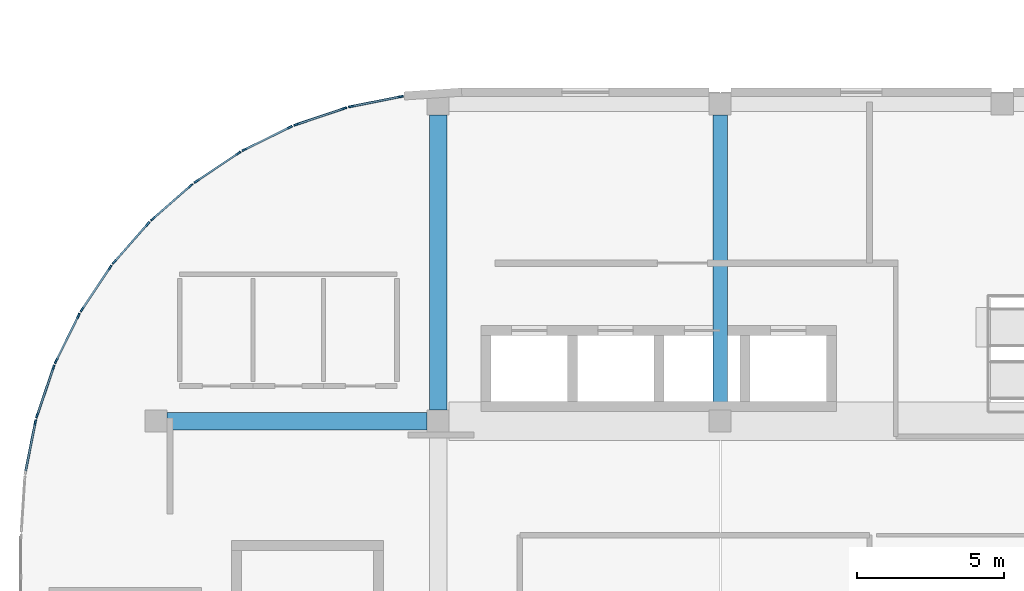
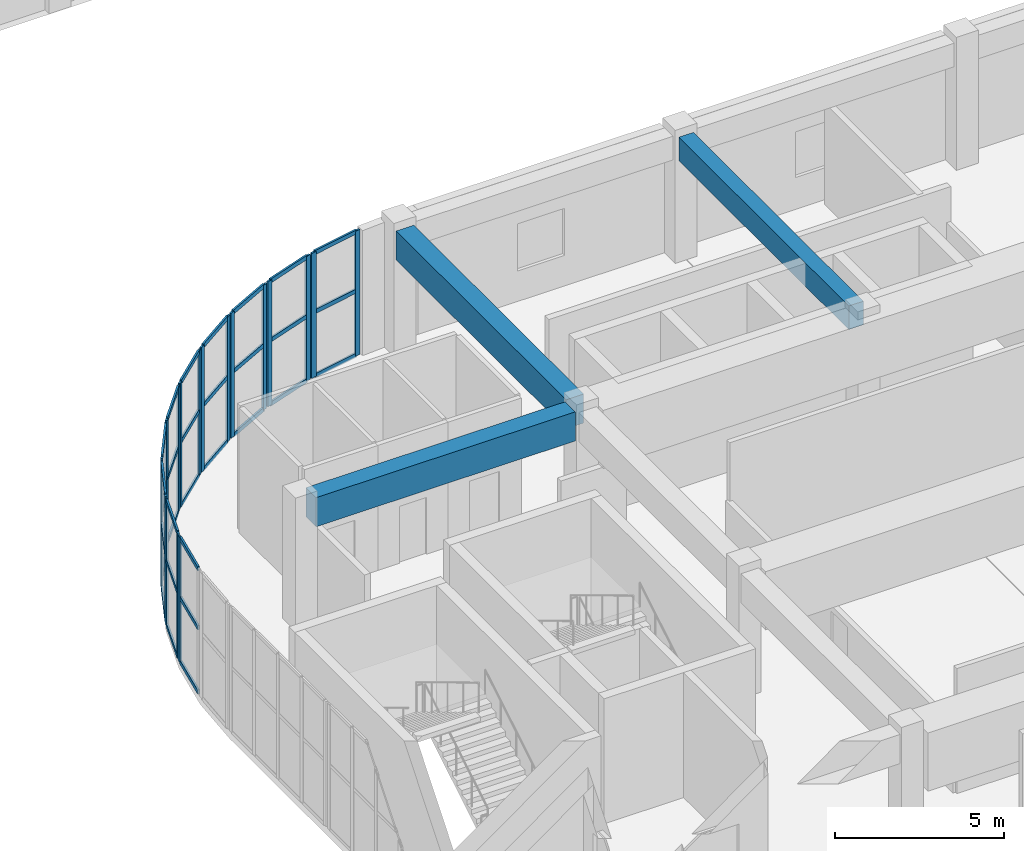
# One storey, part 10 of 28: 49 members, 3 beams, 10 elements without a shape of their own.
"""IFC4 building model written with IfcOpenShell, lengths in metres."""

from ifc_helpers import new_model, si_unit, direction, frame, origin, origin_2d, place, context, subcontext, project, spatial, rectangle, extrude, material, layer, layer_set, material_profile, profile_set, type_object, element, aggregate, save


model = new_model("IFC4")

# Units and contexts
model_context = context("Model", 3, precision=1e-05, world=origin(), true_north=direction((0.0, 1.0)))
body_context = subcontext(model_context, "Body", "Model", "MODEL_VIEW")
ifc_project = project(units=[si_unit("LENGTHUNIT", "METRE"), si_unit("AREAUNIT", "SQUARE_METRE"), si_unit("VOLUMEUNIT", "CUBIC_METRE"), si_unit("PLANEANGLEUNIT", "RADIAN"), si_unit("MASSUNIT", "GRAM", prefix="KILO")], contexts=[model_context])

# Site, building, storey
site_placement = place(None, origin())
site = spatial("IfcSite", under=ifc_project, at=site_placement, CompositionType="ELEMENT")
building_placement = place(site_placement, origin())
building = spatial("IfcBuilding", under=site, at=building_placement, Name="Cendralis Terraced Arcade", CompositionType="ELEMENT")
storey_placement = place(building_placement, frame((0.0, 0.0, 24.60009765625)))
storey = spatial("IfcBuildingStorey", under=building, at=storey_placement, Name="L05", CompositionType="ELEMENT", Elevation=24.60009765625)

# Beams
ifc_material_1 = material(Name="Concrete f'c 35 MPa", Category="concrete")
ifc_material_profile_1 = material_profile(ifc_material_1, rectangle(XDim=0.5, YDim=0.85009765625, at=origin_2d()), Name="RC-BM-500x850", Category="LoadBearing")
ifc_profile_set_1 = profile_set([ifc_material_profile_1], Name="Concrete f'c 35 MPa")
beam_type_1 = type_object("IfcBeamType", Name="BM-500x850", PredefinedType="JOIST", material=ifc_profile_set_1)
beam_1_placement = place(storey_placement, frame((28.800048828125, 38.77490234375, 4.08984375), z_axis=(0.0, 1.0, 0.0), x_axis=(-1.0, 0.0, 0.0)))
element("IfcBeam", 1, at=beam_1_placement, inside=storey, type_object=beam_type_1, Name="Terrace Support Girder TER-L06-V1-7", PredefinedType="JOIST", context=body_context, shape_type="SweptSolid", body=[
    extrude(rectangle(XDim=0.5, YDim=0.85009765625, at=origin_2d()), origin(), (0.0, 0.0, 1.0), 10.050048828125),
])
ifc_material_profile_2 = material_profile(ifc_material_1, rectangle(XDim=0.60009765625, YDim=1.050048828125, at=origin_2d()), Name="RC-BM-600x1050", Category="LoadBearing")
ifc_profile_set_2 = profile_set([ifc_material_profile_2], Name="Concrete f'c 35 MPa")
beam_type_2 = type_object("IfcBeamType", Name="BM-600x1050", PredefinedType="JOIST", material=ifc_profile_set_2)
beam_2_placement = place(storey_placement, frame((9.97509765625, 38.39990234375, 3.98486328125), z_axis=(1.0, 0.0, 0.0), x_axis=(0.0, 1.0, 0.0)))
element("IfcBeam", 2, at=beam_2_placement, inside=storey, type_object=beam_type_2, Name="Reinforced Concrete Frame Beam BM-X-L06-E-2_3", PredefinedType="JOIST", context=body_context, shape_type="SweptSolid", body=[
    extrude(rectangle(XDim=0.60009765625, YDim=1.050048828125, at=origin_2d()), origin(), (0.0, 0.0, 1.0), 8.849853515625),
])
beam_3_placement = place(storey_placement, frame((19.199951171875, 38.77490234375, 3.98486328125), z_axis=(0.0, 1.0, 0.0), x_axis=(-1.0, 0.0, 0.0)))
element("IfcBeam", 3, at=beam_3_placement, inside=storey, type_object=beam_type_2, Name="Reinforced Concrete Frame Beam BM-Y-L06-3-E_F", PredefinedType="JOIST", context=body_context, shape_type="SweptSolid", body=[
    extrude(rectangle(XDim=0.60009765625, YDim=1.050048828125, at=origin_2d()), origin(), (0.0, 0.0, 1.0), 10.050048828125),
])

# Curtain wall, member
ifc_material_2 = material(Name="Anodised aluminium EN AW-6063 T6", Category="aluminium")
ifc_layer = layer(ifc_material_2, 0.179931640625, Name="CW-UNIT-A")
ifc_layer_set = layer_set([ifc_layer], Name="Anodised aluminium EN AW-6063 T6")
curtain_wall_type = type_object("IfcCurtainWallType", Name="CW-UNIT-A", PredefinedType="USERDEFINED", material=ifc_layer_set)
curtain_wall_1_placement = place(storey_placement, origin())
curtain_wall_1 = element("IfcCurtainWall", 4, at=curtain_wall_1_placement, inside=storey, type_object=curtain_wall_type, Name="Exterior Unitised Facade CW-L05-0380", ObjectType="UNITISED FACADE", PredefinedType="USERDEFINED")
ifc_material_profile_3 = material_profile(ifc_material_2, rectangle(XDim=0.06494140625, YDim=0.179931640625, at=origin_2d()), Name="ALU-MUL-65x180")
ifc_profile_set_3 = profile_set([ifc_material_profile_3], Name="Anodised aluminium EN AW-6063 T6")
member_type_1 = type_object("IfcMemberType", Name="CW-UNIT-A-MUL", PredefinedType="MULLION", material=ifc_profile_set_3)
member_1_placement = place(storey_placement, frame((5.487060546875, 38.362060546875, 0.0), z_axis=(0.0, 0.0, 1.0), x_axis=(-0.980791618721, 0.195058454434, 0.0)))
member_1 = element("IfcMember", 5, at=member_1_placement, type_object=member_type_1, Name="CW-U1 mullion 2", PredefinedType="MULLION", context=body_context, shape_type="SweptSolid", body=[
    extrude(rectangle(XDim=0.06494140625, YDim=0.179931640625, at=origin_2d()), origin(), (0.0, 0.0, 1.0), 4.510009765625),
])

# Curtain wall, members
curtain_wall_2_placement = place(storey_placement, origin())
curtain_wall_2 = element("IfcCurtainWall", 6, at=curtain_wall_2_placement, inside=storey, type_object=curtain_wall_type, Name="Exterior Unitised Facade CW-L05-0381", ObjectType="UNITISED FACADE", PredefinedType="USERDEFINED")
member_2_placement = place(storey_placement, frame((5.550537109375, 38.598388671875, 0.0), z_axis=(0.0, 0.0, 1.0), x_axis=(-0.946923811316, 0.321458077458, 0.0)))
member_2 = element("IfcMember", 7, at=member_2_placement, type_object=member_type_1, Name="CW-U1 mullion 1", PredefinedType="MULLION", context=body_context, shape_type="SweptSolid", body=[
    extrude(rectangle(XDim=0.06494140625, YDim=0.179931640625, at=origin_2d()), origin(), (0.0, 0.0, 1.0), 4.510009765625),
])
member_3_placement = place(storey_placement, frame((6.1025390625, 40.224365234375, 0.0), z_axis=(0.0, 0.0, 1.0), x_axis=(-0.946923811316, 0.321458077458, 0.0)))
member_3 = element("IfcMember", 8, at=member_3_placement, type_object=member_type_1, Name="CW-U1 mullion 2", PredefinedType="MULLION", context=body_context, shape_type="SweptSolid", body=[
    extrude(rectangle(XDim=0.06494140625, YDim=0.179931640625, at=origin_2d()), origin(), (0.0, 0.0, 1.0), 4.510009765625),
])

curtain_wall_3_placement = place(storey_placement, origin())
curtain_wall_3 = element("IfcCurtainWall", 9, at=curtain_wall_3_placement, inside=storey, type_object=curtain_wall_type, Name="Exterior Unitised Facade CW-L05-0382", ObjectType="UNITISED FACADE", PredefinedType="USERDEFINED")
member_4_placement = place(storey_placement, frame((6.196044921875, 40.4501953125, 0.0), z_axis=(0.0, 0.0, 1.0), x_axis=(-0.896871480419, 0.442291247495, 0.0)))
member_4 = element("IfcMember", 10, at=member_4_placement, type_object=member_type_1, Name="CW-U1 mullion 1", PredefinedType="MULLION", context=body_context, shape_type="SweptSolid", body=[
    extrude(rectangle(XDim=0.06494140625, YDim=0.179931640625, at=origin_2d()), origin(), (0.0, 0.0, 1.0), 4.510009765625),
])
member_5_placement = place(storey_placement, frame((6.955322265625, 41.990234375, 0.0), z_axis=(0.0, 0.0, 1.0), x_axis=(-0.896871480419, 0.442291247495, 0.0)))
member_5 = element("IfcMember", 11, at=member_5_placement, type_object=member_type_1, Name="CW-U1 mullion 2", PredefinedType="MULLION", context=body_context, shape_type="SweptSolid", body=[
    extrude(rectangle(XDim=0.06494140625, YDim=0.179931640625, at=origin_2d()), origin(), (0.0, 0.0, 1.0), 4.510009765625),
])

curtain_wall_4_placement = place(storey_placement, origin())
curtain_wall_4 = element("IfcCurtainWall", 12, at=curtain_wall_4_placement, inside=storey, type_object=curtain_wall_type, Name="Exterior Unitised Facade CW-L05-0383", ObjectType="UNITISED FACADE", PredefinedType="USERDEFINED")
member_6_placement = place(storey_placement, frame((7.07763671875, 42.201904296875, 0.0), z_axis=(0.0, 0.0, 1.0), x_axis=(-0.831471454125, 0.555567476528, 0.0)))
member_6 = element("IfcMember", 13, at=member_6_placement, type_object=member_type_1, Name="CW-U1 mullion 1", PredefinedType="MULLION", context=body_context, shape_type="SweptSolid", body=[
    extrude(rectangle(XDim=0.06494140625, YDim=0.179931640625, at=origin_2d()), origin(), (0.0, 0.0, 1.0), 4.510009765625),
])
member_7_placement = place(storey_placement, frame((8.03173828125, 43.629638671875, 0.0), z_axis=(0.0, 0.0, 1.0), x_axis=(-0.831471454125, 0.555567476528, 0.0)))
member_7 = element("IfcMember", 14, at=member_7_placement, type_object=member_type_1, Name="CW-U1 mullion 2", PredefinedType="MULLION", context=body_context, shape_type="SweptSolid", body=[
    extrude(rectangle(XDim=0.06494140625, YDim=0.179931640625, at=origin_2d()), origin(), (0.0, 0.0, 1.0), 4.510009765625),
])

curtain_wall_5_placement = place(storey_placement, origin())
curtain_wall_5 = element("IfcCurtainWall", 15, at=curtain_wall_5_placement, inside=storey, type_object=curtain_wall_type, Name="Exterior Unitised Facade CW-L05-0384", ObjectType="UNITISED FACADE", PredefinedType="USERDEFINED")
member_8_placement = place(storey_placement, frame((8.180419921875, 43.823486328125, 0.0), z_axis=(0.0, 0.0, 1.0), x_axis=(-0.751804497477, 0.659386076266, 0.0)))
member_8 = element("IfcMember", 16, at=member_8_placement, type_object=member_type_1, Name="CW-U1 mullion 1", PredefinedType="MULLION", context=body_context, shape_type="SweptSolid", body=[
    extrude(rectangle(XDim=0.06494140625, YDim=0.179931640625, at=origin_2d()), origin(), (0.0, 0.0, 1.0), 4.510009765625),
])
member_9_placement = place(storey_placement, frame((9.312744140625, 45.114501953125, 0.0), z_axis=(0.0, 0.0, 1.0), x_axis=(-0.751804497477, 0.659386076266, 0.0)))
member_9 = element("IfcMember", 17, at=member_9_placement, type_object=member_type_1, Name="CW-U1 mullion 2", PredefinedType="MULLION", context=body_context, shape_type="SweptSolid", body=[
    extrude(rectangle(XDim=0.06494140625, YDim=0.179931640625, at=origin_2d()), origin(), (0.0, 0.0, 1.0), 4.510009765625),
])

curtain_wall_6_placement = place(storey_placement, origin())
curtain_wall_6 = element("IfcCurtainWall", 18, at=curtain_wall_6_placement, inside=storey, type_object=curtain_wall_type, Name="Exterior Unitised Facade CW-L05-0385", ObjectType="UNITISED FACADE", PredefinedType="USERDEFINED")
member_10_placement = place(storey_placement, frame((9.485595703125, 45.287353515625, 0.0), z_axis=(0.0, 0.0, 1.0), x_axis=(-0.659386076266, 0.751804497477, 0.0)))
member_10 = element("IfcMember", 19, at=member_10_placement, type_object=member_type_1, Name="CW-U1 mullion 1", PredefinedType="MULLION", context=body_context, shape_type="SweptSolid", body=[
    extrude(rectangle(XDim=0.06494140625, YDim=0.179931640625, at=origin_2d()), origin(), (0.0, 0.0, 1.0), 4.510009765625),
])
member_11_placement = place(storey_placement, frame((10.7763671875, 46.419677734375, 0.0), z_axis=(0.0, 0.0, 1.0), x_axis=(-0.659386076266, 0.751804497477, 0.0)))
member_11 = element("IfcMember", 20, at=member_11_placement, type_object=member_type_1, Name="CW-U1 mullion 2", PredefinedType="MULLION", context=body_context, shape_type="SweptSolid", body=[
    extrude(rectangle(XDim=0.06494140625, YDim=0.179931640625, at=origin_2d()), origin(), (0.0, 0.0, 1.0), 4.510009765625),
])

curtain_wall_7_placement = place(storey_placement, origin())
curtain_wall_7 = element("IfcCurtainWall", 21, at=curtain_wall_7_placement, inside=storey, type_object=curtain_wall_type, Name="Exterior Unitised Facade CW-L05-0386", ObjectType="UNITISED FACADE", PredefinedType="USERDEFINED")
member_12_placement = place(storey_placement, frame((10.970458984375, 46.568359375, 0.0), z_axis=(0.0, 0.0, 1.0), x_axis=(-0.555567476528, 0.831471454125, 0.0)))
member_12 = element("IfcMember", 22, at=member_12_placement, type_object=member_type_1, Name="CW-U1 mullion 1", PredefinedType="MULLION", context=body_context, shape_type="SweptSolid", body=[
    extrude(rectangle(XDim=0.06494140625, YDim=0.179931640625, at=origin_2d()), origin(), (0.0, 0.0, 1.0), 4.510009765625),
])
member_13_placement = place(storey_placement, frame((12.398193359375, 47.5224609375, 0.0), z_axis=(0.0, 0.0, 1.0), x_axis=(-0.555567476528, 0.831471454125, 0.0)))
member_13 = element("IfcMember", 23, at=member_13_placement, type_object=member_type_1, Name="CW-U1 mullion 2", PredefinedType="MULLION", context=body_context, shape_type="SweptSolid", body=[
    extrude(rectangle(XDim=0.06494140625, YDim=0.179931640625, at=origin_2d()), origin(), (0.0, 0.0, 1.0), 4.510009765625),
])

curtain_wall_8_placement = place(storey_placement, origin())
curtain_wall_8 = element("IfcCurtainWall", 24, at=curtain_wall_8_placement, inside=storey, type_object=curtain_wall_type, Name="Exterior Unitised Facade CW-L05-0387", ObjectType="UNITISED FACADE", PredefinedType="USERDEFINED")
member_14_placement = place(storey_placement, frame((12.60986328125, 47.64453125, 0.0), z_axis=(0.0, 0.0, 1.0), x_axis=(-0.442291247495, 0.896871480419, 0.0)))
member_14 = element("IfcMember", 25, at=member_14_placement, type_object=member_type_1, Name="CW-U1 mullion 1", PredefinedType="MULLION", context=body_context, shape_type="SweptSolid", body=[
    extrude(rectangle(XDim=0.06494140625, YDim=0.179931640625, at=origin_2d()), origin(), (0.0, 0.0, 1.0), 4.510009765625),
])
member_15_placement = place(storey_placement, frame((14.14990234375, 48.404052734375, 0.0), z_axis=(0.0, 0.0, 1.0), x_axis=(-0.442291247495, 0.896871480419, 0.0)))
member_15 = element("IfcMember", 26, at=member_15_placement, type_object=member_type_1, Name="CW-U1 mullion 2", PredefinedType="MULLION", context=body_context, shape_type="SweptSolid", body=[
    extrude(rectangle(XDim=0.06494140625, YDim=0.179931640625, at=origin_2d()), origin(), (0.0, 0.0, 1.0), 4.510009765625),
])

curtain_wall_9_placement = place(storey_placement, origin())
curtain_wall_9 = element("IfcCurtainWall", 27, at=curtain_wall_9_placement, inside=storey, type_object=curtain_wall_type, Name="Exterior Unitised Facade CW-L05-0388", ObjectType="UNITISED FACADE", PredefinedType="USERDEFINED")
member_16_placement = place(storey_placement, frame((14.375732421875, 48.49755859375, 0.0), z_axis=(0.0, 0.0, 1.0), x_axis=(-0.321458077458, 0.946923811316, 0.0)))
member_16 = element("IfcMember", 28, at=member_16_placement, type_object=member_type_1, Name="CW-U1 mullion 1", PredefinedType="MULLION", context=body_context, shape_type="SweptSolid", body=[
    extrude(rectangle(XDim=0.06494140625, YDim=0.179931640625, at=origin_2d()), origin(), (0.0, 0.0, 1.0), 4.510009765625),
])
member_17_placement = place(storey_placement, frame((16.001708984375, 49.049560546875, 0.0), z_axis=(0.0, 0.0, 1.0), x_axis=(-0.321458077458, 0.946923811316, 0.0)))
member_17 = element("IfcMember", 29, at=member_17_placement, type_object=member_type_1, Name="CW-U1 mullion 2", PredefinedType="MULLION", context=body_context, shape_type="SweptSolid", body=[
    extrude(rectangle(XDim=0.06494140625, YDim=0.179931640625, at=origin_2d()), origin(), (0.0, 0.0, 1.0), 4.510009765625),
])

curtain_wall_10_placement = place(storey_placement, origin())
curtain_wall_10 = element("IfcCurtainWall", 30, at=curtain_wall_10_placement, inside=storey, type_object=curtain_wall_type, Name="Exterior Unitised Facade CW-L05-0389", ObjectType="UNITISED FACADE", PredefinedType="USERDEFINED")
member_18_placement = place(storey_placement, frame((16.23779296875, 49.11279296875, 0.0), z_axis=(0.0, 0.0, 1.0), x_axis=(-0.195058454434, 0.980791618721, 0.0)))
member_18 = element("IfcMember", 31, at=member_18_placement, type_object=member_type_1, Name="CW-U1 mullion 1", PredefinedType="MULLION", context=body_context, shape_type="SweptSolid", body=[
    extrude(rectangle(XDim=0.06494140625, YDim=0.179931640625, at=origin_2d()), origin(), (0.0, 0.0, 1.0), 4.510009765625),
])
member_19_placement = place(storey_placement, frame((17.921875, 49.44775390625, 0.0), z_axis=(0.0, 0.0, 1.0), x_axis=(-0.195058454434, 0.980791618721, 0.0)))
member_19 = element("IfcMember", 32, at=member_19_placement, type_object=member_type_1, Name="CW-U1 mullion 2", PredefinedType="MULLION", context=body_context, shape_type="SweptSolid", body=[
    extrude(rectangle(XDim=0.06494140625, YDim=0.179931640625, at=origin_2d()), origin(), (0.0, 0.0, 1.0), 4.510009765625),
])

# Member
ifc_material_profile_4 = material_profile(ifc_material_2, rectangle(XDim=0.06494140625, YDim=0.14990234375, at=origin_2d()), Name="ALU-TRN-65x150")
ifc_profile_set_4 = profile_set([ifc_material_profile_4], Name="Anodised aluminium EN AW-6063 T6")
member_type_2 = type_object("IfcMemberType", Name="CW-UNIT-A-TRN", PredefinedType="USERDEFINED", material=ifc_profile_set_4)
member_20_placement = place(storey_placement, frame((5.15869140625, 36.7099609375, 0.032470703125), z_axis=(0.194922378732, 0.980818671452, 0.0), x_axis=(-0.980818671452, 0.194922378732, 0.0)))
member_20 = element("IfcMember", 33, at=member_20_placement, type_object=member_type_2, Name="CW-U1 transom 1.1", ObjectType="TRANSOM", PredefinedType="USERDEFINED", context=body_context, shape_type="SweptSolid", body=[
    extrude(rectangle(XDim=0.06494140625, YDim=0.14990234375, at=origin_2d()), origin(), (0.0, 0.0, 1.0), 1.652099609375),
])

member_21_placement = place(storey_placement, frame((5.15869140625, 36.7099609375, 2.34521484375), z_axis=(0.194922378732, 0.980818671452, 0.0), x_axis=(-0.980818671452, 0.194922378732, 0.0)))
member_21 = element("IfcMember", 34, at=member_21_placement, type_object=member_type_2, Name="CW-U1 transom 1.2", ObjectType="TRANSOM", PredefinedType="USERDEFINED", context=body_context, shape_type="SweptSolid", body=[
    extrude(rectangle(XDim=0.06494140625, YDim=0.14990234375, at=origin_2d()), origin(), (0.0, 0.0, 1.0), 1.652099609375),
])

member_22_placement = place(storey_placement, frame((5.15869140625, 36.7099609375, 4.477294921875), z_axis=(0.194922378732, 0.980818671452, 0.0), x_axis=(-0.980818671452, 0.194922378732, 0.0)))
member_22 = element("IfcMember", 35, at=member_22_placement, type_object=member_type_2, Name="CW-U1 transom 1.3", ObjectType="TRANSOM", PredefinedType="USERDEFINED", context=body_context, shape_type="SweptSolid", body=[
    extrude(rectangle(XDim=0.06494140625, YDim=0.14990234375, at=origin_2d()), origin(), (0.0, 0.0, 1.0), 1.652099609375),
])

aggregate(curtain_wall_1, [member_1, member_20, member_21, member_22])

member_23_placement = place(storey_placement, frame((5.560791015625, 38.629150390625, 0.032470703125), z_axis=(0.321542430228, 0.94689517137, 0.0), x_axis=(-0.94689517137, 0.321542430228, 0.0)))
member_23 = element("IfcMember", 36, at=member_23_placement, type_object=member_type_2, Name="CW-U1 transom 1.1", ObjectType="TRANSOM", PredefinedType="USERDEFINED", context=body_context, shape_type="SweptSolid", body=[
    extrude(rectangle(XDim=0.06494140625, YDim=0.14990234375, at=origin_2d()), origin(), (0.0, 0.0, 1.0), 1.652099609375),
])

member_24_placement = place(storey_placement, frame((5.560791015625, 38.629150390625, 2.34521484375), z_axis=(0.321542430228, 0.94689517137, 0.0), x_axis=(-0.94689517137, 0.321542430228, 0.0)))
member_24 = element("IfcMember", 37, at=member_24_placement, type_object=member_type_2, Name="CW-U1 transom 1.2", ObjectType="TRANSOM", PredefinedType="USERDEFINED", context=body_context, shape_type="SweptSolid", body=[
    extrude(rectangle(XDim=0.06494140625, YDim=0.14990234375, at=origin_2d()), origin(), (0.0, 0.0, 1.0), 1.652099609375),
])

member_25_placement = place(storey_placement, frame((5.560791015625, 38.629150390625, 4.477294921875), z_axis=(0.321542430228, 0.94689517137, 0.0), x_axis=(-0.94689517137, 0.321542430228, 0.0)))
member_25 = element("IfcMember", 38, at=member_25_placement, type_object=member_type_2, Name="CW-U1 transom 1.3", ObjectType="TRANSOM", PredefinedType="USERDEFINED", context=body_context, shape_type="SweptSolid", body=[
    extrude(rectangle(XDim=0.06494140625, YDim=0.14990234375, at=origin_2d()), origin(), (0.0, 0.0, 1.0), 1.652099609375),
])

aggregate(curtain_wall_2, [member_2, member_3, member_23, member_24, member_25])

member_26_placement = place(storey_placement, frame((6.21044921875, 40.479248046875, 0.032470703125), z_axis=(0.442300625853, 0.896866855431, 0.0), x_axis=(-0.896866855431, 0.442300625853, 0.0)))
member_26 = element("IfcMember", 39, at=member_26_placement, type_object=member_type_2, Name="CW-U1 transom 1.1", ObjectType="TRANSOM", PredefinedType="USERDEFINED", context=body_context, shape_type="SweptSolid", body=[
    extrude(rectangle(XDim=0.06494140625, YDim=0.14990234375, at=origin_2d()), origin(), (0.0, 0.0, 1.0), 1.652099609375),
])

member_27_placement = place(storey_placement, frame((6.21044921875, 40.479248046875, 2.34521484375), z_axis=(0.442300625853, 0.896866855431, 0.0), x_axis=(-0.896866855431, 0.442300625853, 0.0)))
member_27 = element("IfcMember", 40, at=member_27_placement, type_object=member_type_2, Name="CW-U1 transom 1.2", ObjectType="TRANSOM", PredefinedType="USERDEFINED", context=body_context, shape_type="SweptSolid", body=[
    extrude(rectangle(XDim=0.06494140625, YDim=0.14990234375, at=origin_2d()), origin(), (0.0, 0.0, 1.0), 1.652099609375),
])

member_28_placement = place(storey_placement, frame((6.21044921875, 40.479248046875, 4.477294921875), z_axis=(0.442300625853, 0.896866855431, 0.0), x_axis=(-0.896866855431, 0.442300625853, 0.0)))
member_28 = element("IfcMember", 41, at=member_28_placement, type_object=member_type_2, Name="CW-U1 transom 1.3", ObjectType="TRANSOM", PredefinedType="USERDEFINED", context=body_context, shape_type="SweptSolid", body=[
    extrude(rectangle(XDim=0.06494140625, YDim=0.14990234375, at=origin_2d()), origin(), (0.0, 0.0, 1.0), 1.652099609375),
])

aggregate(curtain_wall_3, [member_4, member_5, member_26, member_27, member_28])

member_29_placement = place(storey_placement, frame((7.095703125, 42.228759765625, 0.032470703125), z_axis=(0.555586455466, 0.831458772582, 0.0), x_axis=(-0.831458772582, 0.555586455466, 0.0)))
member_29 = element("IfcMember", 42, at=member_29_placement, type_object=member_type_2, Name="CW-U1 transom 1.1", ObjectType="TRANSOM", PredefinedType="USERDEFINED", context=body_context, shape_type="SweptSolid", body=[
    extrude(rectangle(XDim=0.06494140625, YDim=0.14990234375, at=origin_2d()), origin(), (0.0, 0.0, 1.0), 1.65234375),
])

member_30_placement = place(storey_placement, frame((7.095703125, 42.228759765625, 2.34521484375), z_axis=(0.555586455466, 0.831458772582, 0.0), x_axis=(-0.831458772582, 0.555586455466, 0.0)))
member_30 = element("IfcMember", 43, at=member_30_placement, type_object=member_type_2, Name="CW-U1 transom 1.2", ObjectType="TRANSOM", PredefinedType="USERDEFINED", context=body_context, shape_type="SweptSolid", body=[
    extrude(rectangle(XDim=0.06494140625, YDim=0.14990234375, at=origin_2d()), origin(), (0.0, 0.0, 1.0), 1.65234375),
])

member_31_placement = place(storey_placement, frame((7.095703125, 42.228759765625, 4.477294921875), z_axis=(0.555586455466, 0.831458772582, 0.0), x_axis=(-0.831458772582, 0.555586455466, 0.0)))
member_31 = element("IfcMember", 44, at=member_31_placement, type_object=member_type_2, Name="CW-U1 transom 1.3", ObjectType="TRANSOM", PredefinedType="USERDEFINED", context=body_context, shape_type="SweptSolid", body=[
    extrude(rectangle(XDim=0.06494140625, YDim=0.14990234375, at=origin_2d()), origin(), (0.0, 0.0, 1.0), 1.65234375),
])

aggregate(curtain_wall_4, [member_6, member_7, member_29, member_30, member_31])

member_32_placement = place(storey_placement, frame((8.201904296875, 43.847900390625, 0.032470703125), z_axis=(0.659341117172, 0.751843927425, 0.0), x_axis=(-0.751843927425, 0.659341117172, 0.0)))
member_32 = element("IfcMember", 45, at=member_32_placement, type_object=member_type_2, Name="CW-U1 transom 1.1", ObjectType="TRANSOM", PredefinedType="USERDEFINED", context=body_context, shape_type="SweptSolid", body=[
    extrude(rectangle(XDim=0.06494140625, YDim=0.14990234375, at=origin_2d()), origin(), (0.0, 0.0, 1.0), 1.652099609375),
])

member_33_placement = place(storey_placement, frame((8.201904296875, 43.847900390625, 2.34521484375), z_axis=(0.659341117172, 0.751843927425, 0.0), x_axis=(-0.751843927425, 0.659341117172, 0.0)))
member_33 = element("IfcMember", 46, at=member_33_placement, type_object=member_type_2, Name="CW-U1 transom 1.2", ObjectType="TRANSOM", PredefinedType="USERDEFINED", context=body_context, shape_type="SweptSolid", body=[
    extrude(rectangle(XDim=0.06494140625, YDim=0.14990234375, at=origin_2d()), origin(), (0.0, 0.0, 1.0), 1.652099609375),
])

member_34_placement = place(storey_placement, frame((8.201904296875, 43.847900390625, 4.477294921875), z_axis=(0.659341117172, 0.751843927425, 0.0), x_axis=(-0.751843927425, 0.659341117172, 0.0)))
member_34 = element("IfcMember", 47, at=member_34_placement, type_object=member_type_2, Name="CW-U1 transom 1.3", ObjectType="TRANSOM", PredefinedType="USERDEFINED", context=body_context, shape_type="SweptSolid", body=[
    extrude(rectangle(XDim=0.06494140625, YDim=0.14990234375, at=origin_2d()), origin(), (0.0, 0.0, 1.0), 1.652099609375),
])

aggregate(curtain_wall_5, [member_8, member_9, member_32, member_33, member_34])

member_35_placement = place(storey_placement, frame((9.510009765625, 45.308837890625, 0.032470703125), z_axis=(0.751779677402, 0.659414374006, 0.0), x_axis=(-0.659414374006, 0.751779677402, 0.0)))
member_35 = element("IfcMember", 48, at=member_35_placement, type_object=member_type_2, Name="CW-U1 transom 1.1", ObjectType="TRANSOM", PredefinedType="USERDEFINED", context=body_context, shape_type="SweptSolid", body=[
    extrude(rectangle(XDim=0.06494140625, YDim=0.14990234375, at=origin_2d()), origin(), (0.0, 0.0, 1.0), 1.652099609375),
])

member_36_placement = place(storey_placement, frame((9.510009765625, 45.308837890625, 2.34521484375), z_axis=(0.751779677402, 0.659414374006, 0.0), x_axis=(-0.659414374006, 0.751779677402, 0.0)))
member_36 = element("IfcMember", 49, at=member_36_placement, type_object=member_type_2, Name="CW-U1 transom 1.2", ObjectType="TRANSOM", PredefinedType="USERDEFINED", context=body_context, shape_type="SweptSolid", body=[
    extrude(rectangle(XDim=0.06494140625, YDim=0.14990234375, at=origin_2d()), origin(), (0.0, 0.0, 1.0), 1.652099609375),
])

member_37_placement = place(storey_placement, frame((9.510009765625, 45.308837890625, 4.477294921875), z_axis=(0.751779677402, 0.659414374006, 0.0), x_axis=(-0.659414374006, 0.751779677402, 0.0)))
member_37 = element("IfcMember", 50, at=member_37_placement, type_object=member_type_2, Name="CW-U1 transom 1.3", ObjectType="TRANSOM", PredefinedType="USERDEFINED", context=body_context, shape_type="SweptSolid", body=[
    extrude(rectangle(XDim=0.06494140625, YDim=0.14990234375, at=origin_2d()), origin(), (0.0, 0.0, 1.0), 1.652099609375),
])

aggregate(curtain_wall_6, [member_10, member_11, member_35, member_36, member_37])

member_38_placement = place(storey_placement, frame((10.99755859375, 46.58642578125, 0.032470703125), z_axis=(0.831413153436, 0.555654720391, 0.0), x_axis=(-0.555654720391, 0.831413153436, 0.0)))
member_38 = element("IfcMember", 51, at=member_38_placement, type_object=member_type_2, Name="CW-U1 transom 1.1", ObjectType="TRANSOM", PredefinedType="USERDEFINED", context=body_context, shape_type="SweptSolid", body=[
    extrude(rectangle(XDim=0.06494140625, YDim=0.14990234375, at=origin_2d()), origin(), (0.0, 0.0, 1.0), 1.652099609375),
])

member_39_placement = place(storey_placement, frame((10.99755859375, 46.58642578125, 2.34521484375), z_axis=(0.831413153436, 0.555654720391, 0.0), x_axis=(-0.555654720391, 0.831413153436, 0.0)))
member_39 = element("IfcMember", 52, at=member_39_placement, type_object=member_type_2, Name="CW-U1 transom 1.2", ObjectType="TRANSOM", PredefinedType="USERDEFINED", context=body_context, shape_type="SweptSolid", body=[
    extrude(rectangle(XDim=0.06494140625, YDim=0.14990234375, at=origin_2d()), origin(), (0.0, 0.0, 1.0), 1.652099609375),
])

member_40_placement = place(storey_placement, frame((10.99755859375, 46.58642578125, 4.477294921875), z_axis=(0.831413153436, 0.555654720391, 0.0), x_axis=(-0.555654720391, 0.831413153436, 0.0)))
member_40 = element("IfcMember", 53, at=member_40_placement, type_object=member_type_2, Name="CW-U1 transom 1.3", ObjectType="TRANSOM", PredefinedType="USERDEFINED", context=body_context, shape_type="SweptSolid", body=[
    extrude(rectangle(XDim=0.06494140625, YDim=0.14990234375, at=origin_2d()), origin(), (0.0, 0.0, 1.0), 1.652099609375),
])

aggregate(curtain_wall_7, [member_12, member_13, member_38, member_39, member_40])

member_41_placement = place(storey_placement, frame((12.638916015625, 47.658935546875, 0.032470703125), z_axis=(0.896866855431, 0.442300625853, 0.0), x_axis=(-0.442300625853, 0.896866855431, 0.0)))
member_41 = element("IfcMember", 54, at=member_41_placement, type_object=member_type_2, Name="CW-U1 transom 1.1", ObjectType="TRANSOM", PredefinedType="USERDEFINED", context=body_context, shape_type="SweptSolid", body=[
    extrude(rectangle(XDim=0.06494140625, YDim=0.14990234375, at=origin_2d()), origin(), (0.0, 0.0, 1.0), 1.652099609375),
])

member_42_placement = place(storey_placement, frame((12.638916015625, 47.658935546875, 2.34521484375), z_axis=(0.896866855431, 0.442300625853, 0.0), x_axis=(-0.442300625853, 0.896866855431, 0.0)))
member_42 = element("IfcMember", 55, at=member_42_placement, type_object=member_type_2, Name="CW-U1 transom 1.2", ObjectType="TRANSOM", PredefinedType="USERDEFINED", context=body_context, shape_type="SweptSolid", body=[
    extrude(rectangle(XDim=0.06494140625, YDim=0.14990234375, at=origin_2d()), origin(), (0.0, 0.0, 1.0), 1.652099609375),
])

member_43_placement = place(storey_placement, frame((12.638916015625, 47.658935546875, 4.477294921875), z_axis=(0.896866855431, 0.442300625853, 0.0), x_axis=(-0.442300625853, 0.896866855431, 0.0)))
member_43 = element("IfcMember", 56, at=member_43_placement, type_object=member_type_2, Name="CW-U1 transom 1.3", ObjectType="TRANSOM", PredefinedType="USERDEFINED", context=body_context, shape_type="SweptSolid", body=[
    extrude(rectangle(XDim=0.06494140625, YDim=0.14990234375, at=origin_2d()), origin(), (0.0, 0.0, 1.0), 1.652099609375),
])

aggregate(curtain_wall_8, [member_14, member_15, member_41, member_42, member_43])

member_44_placement = place(storey_placement, frame((14.406494140625, 48.508056640625, 0.032470703125), z_axis=(0.94694015461, 0.321409930755, 0.0), x_axis=(-0.321409930755, 0.94694015461, 0.0)))
member_44 = element("IfcMember", 57, at=member_44_placement, type_object=member_type_2, Name="CW-U1 transom 1.1", ObjectType="TRANSOM", PredefinedType="USERDEFINED", context=body_context, shape_type="SweptSolid", body=[
    extrude(rectangle(XDim=0.06494140625, YDim=0.14990234375, at=origin_2d()), origin(), (0.0, 0.0, 1.0), 1.652099609375),
])

member_45_placement = place(storey_placement, frame((14.406494140625, 48.508056640625, 2.34521484375), z_axis=(0.94694015461, 0.321409930755, 0.0), x_axis=(-0.321409930755, 0.94694015461, 0.0)))
member_45 = element("IfcMember", 58, at=member_45_placement, type_object=member_type_2, Name="CW-U1 transom 1.2", ObjectType="TRANSOM", PredefinedType="USERDEFINED", context=body_context, shape_type="SweptSolid", body=[
    extrude(rectangle(XDim=0.06494140625, YDim=0.14990234375, at=origin_2d()), origin(), (0.0, 0.0, 1.0), 1.652099609375),
])

member_46_placement = place(storey_placement, frame((14.406494140625, 48.508056640625, 4.477294921875), z_axis=(0.94694015461, 0.321409930755, 0.0), x_axis=(-0.321409930755, 0.94694015461, 0.0)))
member_46 = element("IfcMember", 59, at=member_46_placement, type_object=member_type_2, Name="CW-U1 transom 1.3", ObjectType="TRANSOM", PredefinedType="USERDEFINED", context=body_context, shape_type="SweptSolid", body=[
    extrude(rectangle(XDim=0.06494140625, YDim=0.14990234375, at=origin_2d()), origin(), (0.0, 0.0, 1.0), 1.652099609375),
])

aggregate(curtain_wall_9, [member_16, member_17, member_44, member_45, member_46])

member_47_placement = place(storey_placement, frame((16.269775390625, 49.119140625, 0.032470703125), z_axis=(0.980790408784, 0.195064538134, 0.0), x_axis=(-0.195064538134, 0.980790408784, 0.0)))
member_47 = element("IfcMember", 60, at=member_47_placement, type_object=member_type_2, Name="CW-U1 transom 1.1", ObjectType="TRANSOM", PredefinedType="USERDEFINED", context=body_context, shape_type="SweptSolid", body=[
    extrude(rectangle(XDim=0.06494140625, YDim=0.14990234375, at=origin_2d()), origin(), (0.0, 0.0, 1.0), 1.652099609375),
])

member_48_placement = place(storey_placement, frame((16.269775390625, 49.119140625, 2.34521484375), z_axis=(0.980790408784, 0.195064538134, 0.0), x_axis=(-0.195064538134, 0.980790408784, 0.0)))
member_48 = element("IfcMember", 61, at=member_48_placement, type_object=member_type_2, Name="CW-U1 transom 1.2", ObjectType="TRANSOM", PredefinedType="USERDEFINED", context=body_context, shape_type="SweptSolid", body=[
    extrude(rectangle(XDim=0.06494140625, YDim=0.14990234375, at=origin_2d()), origin(), (0.0, 0.0, 1.0), 1.652099609375),
])

member_49_placement = place(storey_placement, frame((16.269775390625, 49.119140625, 4.477294921875), z_axis=(0.980790408784, 0.195064538134, 0.0), x_axis=(-0.195064538134, 0.980790408784, 0.0)))
member_49 = element("IfcMember", 62, at=member_49_placement, type_object=member_type_2, Name="CW-U1 transom 1.3", ObjectType="TRANSOM", PredefinedType="USERDEFINED", context=body_context, shape_type="SweptSolid", body=[
    extrude(rectangle(XDim=0.06494140625, YDim=0.14990234375, at=origin_2d()), origin(), (0.0, 0.0, 1.0), 1.652099609375),
])

aggregate(curtain_wall_10, [member_18, member_19, member_47, member_48, member_49])

save(model, "model.ifc")
